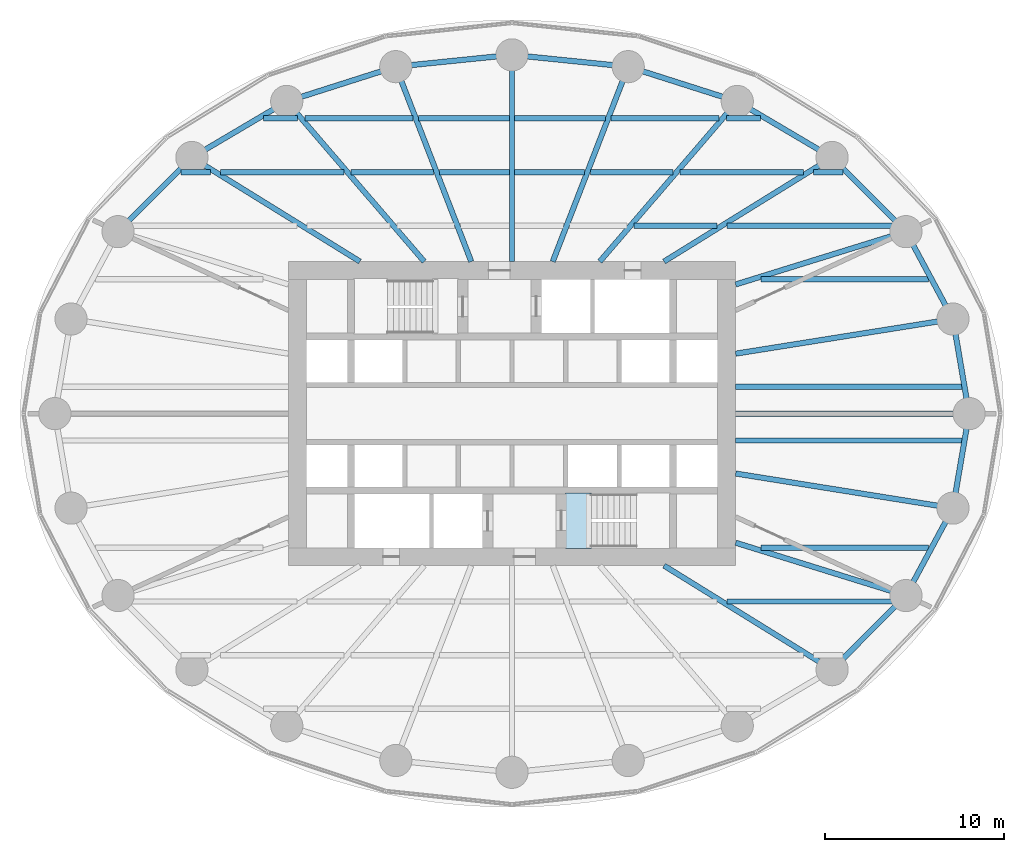
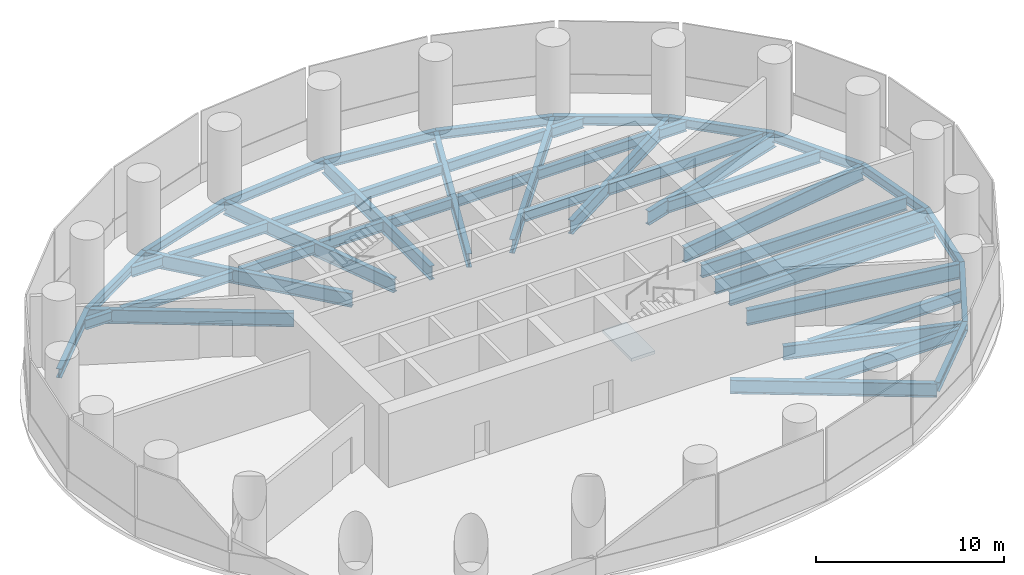
# One storey, part 2 of 5: 47 beams, 1 slab, 1 element without a shape of its own.
"""IFC4 building model written with IfcOpenShell, lengths in metres."""

from ifc_helpers import new_model, si_unit, direction, frame, origin, origin_2d, place, context, subcontext, project, spatial, polyline, i_section, outline, extrude, material, layer, layer_set, material_profile, profile_set, type_object, element, aggregate, save


model = new_model("IFC4")

# Units and contexts
model_context = context("Model", 3, precision=1e-05, world=origin(), true_north=direction((0.0, 1.0)))
body_context = subcontext(model_context, "Body", "Model", "MODEL_VIEW")
ifc_project = project(units=[si_unit("LENGTHUNIT", "METRE"), si_unit("AREAUNIT", "SQUARE_METRE"), si_unit("VOLUMEUNIT", "CUBIC_METRE"), si_unit("PLANEANGLEUNIT", "RADIAN"), si_unit("MASSUNIT", "GRAM", prefix="KILO")], contexts=[model_context])

# Site, building, storey
site_placement = place(None, origin())
site = spatial("IfcSite", under=ifc_project, at=site_placement, CompositionType="ELEMENT")
building_placement = place(site_placement, origin())
building = spatial("IfcBuilding", under=site, at=building_placement, Name="Hankou Lantern Tower", CompositionType="ELEMENT")
storey_placement = place(building_placement, frame((0.0, 0.0, 45.89990234375)))
storey = spatial("IfcBuildingStorey", under=building, at=storey_placement, Name="L10", CompositionType="ELEMENT", Elevation=45.89990234375)

# Beams
ifc_material_1 = material(Name="Steel Q355B", Category="steel")
ifc_material_profile_1 = material_profile(ifc_material_1, i_section(OverallWidth=0.302001953125, OverallDepth=0.593994140625, WebThickness=0.013916015625, FlangeThickness=0.02294921875, FilletRadius=0.02197265625, at=origin_2d()), Name="HM594x302x14x23")
ifc_profile_set_1 = profile_set([ifc_material_profile_1], Name="Steel Q355B")
beam_type_1 = type_object("IfcBeamType", Name="EB15 RING BEAM HM594x302x14x23", PredefinedType="SPANDREL", material=ifc_profile_set_1)
beam_1_placement = place(storey_placement, frame((25.550048828125, 0.0, -0.546875), z_axis=(-0.168489691988, 0.985703415685, 0.0), x_axis=(-0.985703415685, -0.168489691988, 0.0)))
element("IfcBeam", 1, at=beam_1_placement, inside=storey, type_object=beam_type_1, Name="Ring beam R01-R02 L10", PredefinedType="SPANDREL", context=body_context, shape_type="SweptSolid", body=[
    extrude(i_section(OverallWidth=0.302001953125, OverallDepth=0.593994140625, WebThickness=0.013916015625, FlangeThickness=0.02294921875, FilletRadius=0.02197265625, at=origin_2d()), origin(), (0.0, 0.0, 1.0), 5.35986328125),
])
beam_2_placement = place(storey_placement, frame((24.64697265625, 5.283203125, -0.546875), z_axis=(-0.473609096023, 0.880735161194, 0.0), x_axis=(-0.880735161194, -0.473609096023, 0.0)))
element("IfcBeam", 2, at=beam_2_placement, inside=storey, type_object=beam_type_1, Name="Ring beam R02-R03 L10", PredefinedType="SPANDREL", context=body_context, shape_type="SweptSolid", body=[
    extrude(i_section(OverallWidth=0.302001953125, OverallDepth=0.593994140625, WebThickness=0.013916015625, FlangeThickness=0.02294921875, FilletRadius=0.02197265625, at=origin_2d()), origin(), (0.0, 0.0, 1.0), 5.548828125),
])
beam_3_placement = place(storey_placement, frame((22.01904296875, 10.170166015625, -0.546875), z_axis=(-0.705727798394, 0.708483079949, 0.0), x_axis=(-0.708483079949, -0.705727798394, 0.0)))
element("IfcBeam", 3, at=beam_3_placement, inside=storey, type_object=beam_type_1, Name="Ring beam R03-R04 L10", PredefinedType="SPANDREL", context=body_context, shape_type="SweptSolid", body=[
    extrude(i_section(OverallWidth=0.302001953125, OverallDepth=0.593994140625, WebThickness=0.013916015625, FlangeThickness=0.02294921875, FilletRadius=0.02197265625, at=origin_2d()), origin(), (0.0, 0.0, 1.0), 5.84814453125),
])
beam_4_placement = place(storey_placement, frame((17.891845703125, 14.3134765625, -0.546875), z_axis=(-0.860881533543, 0.508805449268, 0.0), x_axis=(-0.508805449268, -0.860881533543, 0.0)))
element("IfcBeam", 4, at=beam_4_placement, inside=storey, type_object=beam_type_1, Name="Ring beam R04-R05 L10", PredefinedType="SPANDREL", context=body_context, shape_type="SweptSolid", body=[
    extrude(i_section(OverallWidth=0.302001953125, OverallDepth=0.593994140625, WebThickness=0.013916015625, FlangeThickness=0.02294921875, FilletRadius=0.02197265625, at=origin_2d()), origin(), (0.0, 0.0, 1.0), 6.15771484375),
])
beam_5_placement = place(storey_placement, frame((12.5908203125, 17.446533203125, -0.546875), z_axis=(-0.952690479428, 0.303942182671, 0.0), x_axis=(-0.303942182671, -0.952690479428, 0.0)))
element("IfcBeam", 5, at=beam_5_placement, inside=storey, type_object=beam_type_1, Name="Ring beam R05-R06 L10", PredefinedType="SPANDREL", context=body_context, shape_type="SweptSolid", body=[
    extrude(i_section(OverallWidth=0.302001953125, OverallDepth=0.593994140625, WebThickness=0.013916015625, FlangeThickness=0.02294921875, FilletRadius=0.02197265625, at=origin_2d()), origin(), (0.0, 0.0, 1.0), 6.398681640625),
])
for number, where, z_axis, x_axis, name in (
    (6, (6.494873046875, 19.391357421875, -0.546875), (-0.994896616842, 0.100899562915, 0.0), (-0.100899562915, -0.994896616842, 0.0), "Ring beam R06-R07 L10"),
    (7, (0.0, 20.050048828125, -0.546875), (-0.994896616842, -0.100899562915, 0.0), (0.100899562915, -0.994896616842, 0.0), "Ring beam R07-R08 L10"),
):
    element("IfcBeam", number, at=place(storey_placement, frame(where, z_axis=z_axis, x_axis=x_axis)), inside=storey, type_object=beam_type_1, Name=name, PredefinedType="SPANDREL", context=body_context, shape_type="SweptSolid", body=[
        extrude(i_section(OverallWidth=0.302001953125, OverallDepth=0.593994140625, WebThickness=0.013916015625, FlangeThickness=0.02294921875, FilletRadius=0.02197265625, at=origin_2d()), origin(), (0.0, 0.0, 1.0), 6.528076171875),
    ])
beam_6_placement = place(storey_placement, frame((-6.494873046875, 19.391357421875, -0.546875), z_axis=(-0.952690479428, -0.303942182671, 0.0), x_axis=(0.303942182671, -0.952690479428, 0.0)))
element("IfcBeam", 8, at=beam_6_placement, inside=storey, type_object=beam_type_1, Name="Ring beam R08-R09 L10", PredefinedType="SPANDREL", context=body_context, shape_type="SweptSolid", body=[
    extrude(i_section(OverallWidth=0.302001953125, OverallDepth=0.593994140625, WebThickness=0.013916015625, FlangeThickness=0.02294921875, FilletRadius=0.02197265625, at=origin_2d()), origin(), (0.0, 0.0, 1.0), 6.398681640625),
])
beam_7_placement = place(storey_placement, frame((-12.5908203125, 17.446533203125, -0.546875), z_axis=(-0.860881533543, -0.508805449268, 0.0), x_axis=(0.508805449268, -0.860881533543, 0.0)))
element("IfcBeam", 9, at=beam_7_placement, inside=storey, type_object=beam_type_1, Name="Ring beam R09-R10 L10", PredefinedType="SPANDREL", context=body_context, shape_type="SweptSolid", body=[
    extrude(i_section(OverallWidth=0.302001953125, OverallDepth=0.593994140625, WebThickness=0.013916015625, FlangeThickness=0.02294921875, FilletRadius=0.02197265625, at=origin_2d()), origin(), (0.0, 0.0, 1.0), 6.15771484375),
])
for number, where, z_axis, x_axis, name in (
    (10, (-17.891845703125, 14.3134765625, -0.546875), (-0.705727798394, -0.708483079949, 0.0), (0.708483079949, -0.705727798394, 0.0), "Ring beam R10-R11 L10"),
    (11, (17.891845703125, -14.3134765625, -0.546875), (0.705727798394, 0.708483079949, 0.0), (-0.708483079949, 0.705727798394, 0.0), "Ring beam R22-R23 L10"),
):
    element("IfcBeam", number, at=place(storey_placement, frame(where, z_axis=z_axis, x_axis=x_axis)), inside=storey, type_object=beam_type_1, Name=name, PredefinedType="SPANDREL", context=body_context, shape_type="SweptSolid", body=[
        extrude(i_section(OverallWidth=0.302001953125, OverallDepth=0.593994140625, WebThickness=0.013916015625, FlangeThickness=0.02294921875, FilletRadius=0.02197265625, at=origin_2d()), origin(), (0.0, 0.0, 1.0), 5.84814453125),
    ])
beam_8_placement = place(storey_placement, frame((22.01904296875, -10.170166015625, -0.546875), z_axis=(0.473609096023, 0.880735161194, 0.0), x_axis=(-0.880735161194, 0.473609096023, 0.0)))
element("IfcBeam", 12, at=beam_8_placement, inside=storey, type_object=beam_type_1, Name="Ring beam R23-R24 L10", PredefinedType="SPANDREL", context=body_context, shape_type="SweptSolid", body=[
    extrude(i_section(OverallWidth=0.302001953125, OverallDepth=0.593994140625, WebThickness=0.013916015625, FlangeThickness=0.02294921875, FilletRadius=0.02197265625, at=origin_2d()), origin(), (0.0, 0.0, 1.0), 5.548828125),
])
beam_9_placement = place(storey_placement, frame((24.64697265625, -5.283203125, -0.546875), z_axis=(0.168489691988, 0.985703415685, 0.0), x_axis=(-0.985703415685, 0.168489691988, 0.0)))
element("IfcBeam", 13, at=beam_9_placement, inside=storey, type_object=beam_type_1, Name="Ring beam R24-R01 L10", PredefinedType="SPANDREL", context=body_context, shape_type="SweptSolid", body=[
    extrude(i_section(OverallWidth=0.302001953125, OverallDepth=0.593994140625, WebThickness=0.013916015625, FlangeThickness=0.02294921875, FilletRadius=0.02197265625, at=origin_2d()), origin(), (0.0, 0.0, 1.0), 5.35986328125),
])
ifc_material_2 = material(Name="Steel Q355B", Category="steel")
ifc_material_profile_2 = material_profile(ifc_material_2, i_section(OverallWidth=0.300048828125, OverallDepth=0.89990234375, WebThickness=0.01611328125, FlangeThickness=0.028076171875, FilletRadius=0.01806640625, at=origin_2d()), Name="HN900x300x16x28")
ifc_profile_set_2 = profile_set([ifc_material_profile_2], Name="Steel Q355B")
beam_type_2 = type_object("IfcBeamType", Name="RB13 RADIAL BEAM HN900x300x16x28", PredefinedType="BEAM", material=ifc_profile_set_2)
beam_10_placement = place(storey_placement, frame((12.5, 7.216796875, -0.699951171875), z_axis=(0.955087327755, 0.29632447817, 0.0), x_axis=(-0.29632447817, 0.955087327755, 0.0)))
element("IfcBeam", 14, at=beam_10_placement, inside=storey, type_object=beam_type_2, Name="Radial beam R03 L10", PredefinedType="BEAM", context=body_context, shape_type="SweptSolid", body=[
    extrude(i_section(OverallWidth=0.300048828125, OverallDepth=0.89990234375, WebThickness=0.01611328125, FlangeThickness=0.028076171875, FilletRadius=0.01806640625, at=origin_2d()), origin(), (0.0, 0.0, 1.0), 9.966552734375),
])
beam_11_placement = place(storey_placement, frame((8.5, 8.5, -0.699951171875), z_axis=(0.850286343288, 0.526320372414, 0.0), x_axis=(-0.526320372414, 0.850286343288, 0.0)))
element("IfcBeam", 15, at=beam_11_placement, inside=storey, type_object=beam_type_2, Name="Radial beam R04 L10", PredefinedType="BEAM", context=body_context, shape_type="SweptSolid", body=[
    extrude(i_section(OverallWidth=0.300048828125, OverallDepth=0.89990234375, WebThickness=0.01611328125, FlangeThickness=0.028076171875, FilletRadius=0.01806640625, at=origin_2d()), origin(), (0.0, 0.0, 1.0), 11.04541015625),
])
beam_12_placement = place(storey_placement, frame((4.907470703125, 8.5, -0.699951171875), z_axis=(0.651519061225, 0.758632264579, 0.0), x_axis=(-0.758632264579, 0.651519061225, 0.0)))
element("IfcBeam", 16, at=beam_12_placement, inside=storey, type_object=beam_type_2, Name="Radial beam R05 L10", PredefinedType="BEAM", context=body_context, shape_type="SweptSolid", body=[
    extrude(i_section(OverallWidth=0.300048828125, OverallDepth=0.89990234375, WebThickness=0.01611328125, FlangeThickness=0.028076171875, FilletRadius=0.01806640625, at=origin_2d()), origin(), (0.0, 0.0, 1.0), 11.79296875),
])
beam_13_placement = place(storey_placement, frame((2.277587890625, 8.5, -0.699951171875), z_axis=(0.361089103374, 0.932531318201, 0.0), x_axis=(-0.932531318201, 0.361089103374, 0.0)))
element("IfcBeam", 17, at=beam_13_placement, inside=storey, type_object=beam_type_2, Name="Radial beam R06 L10", PredefinedType="BEAM", context=body_context, shape_type="SweptSolid", body=[
    extrude(i_section(OverallWidth=0.300048828125, OverallDepth=0.89990234375, WebThickness=0.01611328125, FlangeThickness=0.028076171875, FilletRadius=0.01806640625, at=origin_2d()), origin(), (0.0, 0.0, 1.0), 11.679443359375),
])
beam_14_placement = place(storey_placement, frame((0.0, 8.5, -0.699951171875), z_axis=(0.0, 1.0, 0.0), x_axis=(-1.0, 0.0, 0.0)))
element("IfcBeam", 18, at=beam_14_placement, inside=storey, type_object=beam_type_2, Name="Radial beam R07 L10", PredefinedType="BEAM", context=body_context, shape_type="SweptSolid", body=[
    extrude(i_section(OverallWidth=0.300048828125, OverallDepth=0.89990234375, WebThickness=0.01611328125, FlangeThickness=0.028076171875, FilletRadius=0.01806640625, at=origin_2d()), origin(), (0.0, 0.0, 1.0), 11.550048828125),
])
beam_15_placement = place(storey_placement, frame((-2.277587890625, 8.5, -0.699951171875), z_axis=(-0.361089103374, 0.932531318201, 0.0), x_axis=(-0.932531318201, -0.361089103374, 0.0)))
element("IfcBeam", 19, at=beam_15_placement, inside=storey, type_object=beam_type_2, Name="Radial beam R08 L10", PredefinedType="BEAM", context=body_context, shape_type="SweptSolid", body=[
    extrude(i_section(OverallWidth=0.300048828125, OverallDepth=0.89990234375, WebThickness=0.01611328125, FlangeThickness=0.028076171875, FilletRadius=0.01806640625, at=origin_2d()), origin(), (0.0, 0.0, 1.0), 11.679443359375),
])
beam_16_placement = place(storey_placement, frame((-4.907470703125, 8.5, -0.699951171875), z_axis=(-0.651519061225, 0.758632264579, 0.0), x_axis=(-0.758632264579, -0.651519061225, 0.0)))
element("IfcBeam", 20, at=beam_16_placement, inside=storey, type_object=beam_type_2, Name="Radial beam R09 L10", PredefinedType="BEAM", context=body_context, shape_type="SweptSolid", body=[
    extrude(i_section(OverallWidth=0.300048828125, OverallDepth=0.89990234375, WebThickness=0.01611328125, FlangeThickness=0.028076171875, FilletRadius=0.01806640625, at=origin_2d()), origin(), (0.0, 0.0, 1.0), 11.79296875),
])
for number, where, z_axis, x_axis, name in (
    (21, (-8.5, 8.5, -0.699951171875), (-0.850286343288, 0.526320372414, 0.0), (-0.526320372414, -0.850286343288, 0.0), "Radial beam R10 L10"),
    (22, (8.5, -8.5, -0.699951171875), (0.850286343288, -0.526320372414, 0.0), (0.526320372414, 0.850286343288, 0.0), "Radial beam R22 L10"),
):
    element("IfcBeam", number, at=place(storey_placement, frame(where, z_axis=z_axis, x_axis=x_axis)), inside=storey, type_object=beam_type_2, Name=name, PredefinedType="BEAM", context=body_context, shape_type="SweptSolid", body=[
        extrude(i_section(OverallWidth=0.300048828125, OverallDepth=0.89990234375, WebThickness=0.01611328125, FlangeThickness=0.028076171875, FilletRadius=0.01806640625, at=origin_2d()), origin(), (0.0, 0.0, 1.0), 11.04541015625),
    ])
beam_17_placement = place(storey_placement, frame((12.5, -7.216796875, -0.699951171875), z_axis=(0.955087327755, -0.29632447817, 0.0), x_axis=(0.29632447817, 0.955087327755, 0.0)))
element("IfcBeam", 23, at=beam_17_placement, inside=storey, type_object=beam_type_2, Name="Radial beam R23 L10", PredefinedType="BEAM", context=body_context, shape_type="SweptSolid", body=[
    extrude(i_section(OverallWidth=0.300048828125, OverallDepth=0.89990234375, WebThickness=0.01611328125, FlangeThickness=0.028076171875, FilletRadius=0.01806640625, at=origin_2d()), origin(), (0.0, 0.0, 1.0), 9.966552734375),
])
ifc_material_3 = material(Name="Steel Q355B", Category="steel")
ifc_material_profile_3 = material_profile(ifc_material_3, i_section(OverallWidth=0.300048828125, OverallDepth=1.0, WebThickness=0.01904296875, FlangeThickness=0.035888671875, FilletRadius=0.01806640625, at=origin_2d()), Name="HN1000x300x19x36")
ifc_profile_set_3 = profile_set([ifc_material_profile_3], Name="Steel Q355B")
beam_type_3 = type_object("IfcBeamType", Name="RB22 RADIAL BEAM HN1000x300x19x36", PredefinedType="BEAM", material=ifc_profile_set_3)
beam_18_placement = place(storey_placement, frame((12.5, 0.0, -0.75), z_axis=(1.0, 0.0, 0.0), x_axis=(0.0, 1.0, 0.0)))
element("IfcBeam", 24, at=beam_18_placement, inside=storey, type_object=beam_type_3, Name="Radial beam R01 L10", PredefinedType="BEAM", context=body_context, shape_type="SweptSolid", body=[
    extrude(i_section(OverallWidth=0.300048828125, OverallDepth=1.0, WebThickness=0.01904296875, FlangeThickness=0.035888671875, FilletRadius=0.01806640625, at=origin_2d()), origin(), (0.0, 0.0, 1.0), 13.050048828125),
])
for number, where, z_axis, x_axis, name in (
    (25, (12.5, 3.349365234375, -0.75), (0.987563081343, 0.157223281893, 0.0), (-0.157223281893, 0.987563081343, 0.0), "Radial beam R02 L10"),
    (26, (12.5, -3.349365234375, -0.75), (0.987563081343, -0.157223281893, 0.0), (0.157223281893, 0.987563081343, 0.0), "Radial beam R24 L10"),
):
    element("IfcBeam", number, at=place(storey_placement, frame(where, z_axis=z_axis, x_axis=x_axis)), inside=storey, type_object=beam_type_3, Name=name, PredefinedType="BEAM", context=body_context, shape_type="SweptSolid", body=[
        extrude(i_section(OverallWidth=0.300048828125, OverallDepth=1.0, WebThickness=0.01904296875, FlangeThickness=0.035888671875, FilletRadius=0.01806640625, at=origin_2d()), origin(), (0.0, 0.0, 1.0), 12.300048828125),
    ])
ifc_material_4 = material(Name="Steel Q355B", Category="steel")
ifc_material_profile_4 = material_profile(ifc_material_4, i_section(OverallWidth=0.300048828125, OverallDepth=0.75, WebThickness=0.012939453125, FlangeThickness=0.02392578125, FilletRadius=0.01806640625, at=origin_2d()), Name="HN750x300x13x24")
ifc_profile_set_4 = profile_set([ifc_material_profile_4], Name="Steel Q355B")
beam_type_4 = type_object("IfcBeamType", Name="SB10 SECONDARY BEAM HN750x300x13x24", PredefinedType="JOIST", material=ifc_profile_set_4)
beam_19_placement = place(storey_placement, frame((12.01611328125, -10.5, -0.625), z_axis=(1.0, 0.0, 0.0), x_axis=(0.0, 1.0, 0.0)))
element("IfcBeam", 27, at=beam_19_placement, inside=storey, type_object=beam_type_4, Name="Floor joist J022 L10", PredefinedType="JOIST", context=body_context, shape_type="SweptSolid", body=[
    extrude(i_section(OverallWidth=0.300048828125, OverallDepth=0.75, WebThickness=0.012939453125, FlangeThickness=0.02392578125, FilletRadius=0.01806640625, at=origin_2d()), origin(), (0.0, 0.0, 1.0), 9.461181640625),
])
for number, where, z_axis, x_axis, name in (
    (28, (13.918701171875, -7.5, -0.625), (1.0, 0.0, 0.0), (0.0, 1.0, 0.0), "Floor joist J024 L10"),
    (29, (13.918701171875, 7.5, -0.625), (1.0, 0.0, 0.0), (0.0, 1.0, 0.0), "Floor joist J038 L10"),
):
    element("IfcBeam", number, at=place(storey_placement, frame(where, z_axis=z_axis, x_axis=x_axis)), inside=storey, type_object=beam_type_4, Name=name, PredefinedType="JOIST", context=body_context, shape_type="SweptSolid", body=[
        extrude(i_section(OverallWidth=0.300048828125, OverallDepth=0.75, WebThickness=0.012939453125, FlangeThickness=0.02392578125, FilletRadius=0.01806640625, at=origin_2d()), origin(), (0.0, 0.0, 1.0), 9.36474609375),
    ])
beam_20_placement = place(storey_placement, frame((12.01611328125, 10.5, -0.625), z_axis=(1.0, 0.0, 0.0), x_axis=(0.0, 1.0, 0.0)))
element("IfcBeam", 30, at=beam_20_placement, inside=storey, type_object=beam_type_4, Name="Floor joist J046 L10", PredefinedType="JOIST", context=body_context, shape_type="SweptSolid", body=[
    extrude(i_section(OverallWidth=0.300048828125, OverallDepth=0.75, WebThickness=0.012939453125, FlangeThickness=0.02392578125, FilletRadius=0.01806640625, at=origin_2d()), origin(), (0.0, 0.0, 1.0), 9.461181640625),
])
ifc_material_5 = material(Name="Steel Q355B", Category="steel")
ifc_material_profile_5 = material_profile(ifc_material_5, i_section(OverallWidth=0.300048828125, OverallDepth=0.85009765625, WebThickness=0.01611328125, FlangeThickness=0.027099609375, FilletRadius=0.01806640625, at=origin_2d()), Name="HN850x300x16x27")
ifc_profile_set_5 = profile_set([ifc_material_profile_5], Name="Steel Q355B")
beam_type_5 = type_object("IfcBeamType", Name="SB12 SECONDARY BEAM HN850x300x16x27", PredefinedType="JOIST", material=ifc_profile_set_5)
for number, where, z_axis, x_axis, name in (
    (31, (12.5, -1.5, -0.6748046875), (1.0, 0.0, 0.0), (0.0, 1.0, 0.0), "Floor joist J030 L10"),
    (32, (12.5, 1.5, -0.6748046875), (1.0, 0.0, 0.0), (0.0, 1.0, 0.0), "Floor joist J032 L10"),
):
    element("IfcBeam", number, at=place(storey_placement, frame(where, z_axis=z_axis, x_axis=x_axis)), inside=storey, type_object=beam_type_5, Name=name, PredefinedType="JOIST", context=body_context, shape_type="SweptSolid", body=[
        extrude(i_section(OverallWidth=0.300048828125, OverallDepth=0.85009765625, WebThickness=0.01611328125, FlangeThickness=0.027099609375, FilletRadius=0.01806640625, at=origin_2d()), origin(), (0.0, 0.0, 1.0), 12.640380859375),
    ])
ifc_material_6 = material(Name="Steel Q355B", Category="steel")
ifc_material_profile_6 = material_profile(ifc_material_6, i_section(OverallWidth=0.300048828125, OverallDepth=0.64990234375, WebThickness=0.010986328125, FlangeThickness=0.01708984375, FilletRadius=0.01806640625, at=origin_2d()), Name="HN650x300x11x17")
ifc_profile_set_6 = profile_set([ifc_material_profile_6], Name="Steel Q355B")
beam_type_6 = type_object("IfcBeamType", Name="SB8 SECONDARY BEAM HN650x300x11x17", PredefinedType="JOIST", material=ifc_profile_set_6)
beam_21_placement = place(storey_placement, frame((6.82275390625, 10.5, -0.574951171875), z_axis=(1.0, 0.0, 0.0), x_axis=(0.0, 1.0, 0.0)))
element("IfcBeam", 33, at=beam_21_placement, inside=storey, type_object=beam_type_6, Name="Floor joist J045 L10", PredefinedType="JOIST", context=body_context, shape_type="SweptSolid", body=[
    extrude(i_section(OverallWidth=0.300048828125, OverallDepth=0.64990234375, WebThickness=0.010986328125, FlangeThickness=0.01708984375, FilletRadius=0.01806640625, at=origin_2d()), origin(), (0.0, 0.0, 1.0), 4.623291015625),
])
beam_22_placement = place(storey_placement, frame((-18.48876953125, 13.5, -0.574951171875), z_axis=(1.0, 0.0, 0.0), x_axis=(0.0, 1.0, 0.0)))
element("IfcBeam", 34, at=beam_22_placement, inside=storey, type_object=beam_type_6, Name="Floor joist J047 L10", PredefinedType="JOIST", context=body_context, shape_type="SweptSolid", body=[
    extrude(i_section(OverallWidth=0.300048828125, OverallDepth=0.64990234375, WebThickness=0.010986328125, FlangeThickness=0.01708984375, FilletRadius=0.01806640625, at=origin_2d()), origin(), (0.0, 0.0, 1.0), 1.6259765625),
])
beam_23_placement = place(storey_placement, frame((-16.292724609375, 13.5, -0.574951171875), z_axis=(1.0, 0.0, 0.0), x_axis=(0.0, 1.0, 0.0)))
element("IfcBeam", 35, at=beam_23_placement, inside=storey, type_object=beam_type_6, Name="Floor joist J048 L10", PredefinedType="JOIST", context=body_context, shape_type="SweptSolid", body=[
    extrude(i_section(OverallWidth=0.300048828125, OverallDepth=0.64990234375, WebThickness=0.010986328125, FlangeThickness=0.01708984375, FilletRadius=0.01806640625, at=origin_2d()), origin(), (0.0, 0.0, 1.0), 6.893310546875),
])
beam_24_placement = place(storey_placement, frame((-9.00390625, 13.5, -0.574951171875), z_axis=(1.0, 0.0, 0.0), x_axis=(0.0, 1.0, 0.0)))
element("IfcBeam", 36, at=beam_24_placement, inside=storey, type_object=beam_type_6, Name="Floor joist J049 L10", PredefinedType="JOIST", context=body_context, shape_type="SweptSolid", body=[
    extrude(i_section(OverallWidth=0.300048828125, OverallDepth=0.64990234375, WebThickness=0.010986328125, FlangeThickness=0.01708984375, FilletRadius=0.01806640625, at=origin_2d()), origin(), (0.0, 0.0, 1.0), 4.62939453125),
])
for number, where, z_axis, x_axis, name in (
    (37, (-4.052734375, 13.5, -0.574951171875), (1.0, 0.0, 0.0), (0.0, 1.0, 0.0), "Floor joist J050 L10"),
    (38, (0.14990234375, 13.5, -0.574951171875), (1.0, 0.0, 0.0), (0.0, 1.0, 0.0), "Floor joist J051 L10"),
):
    element("IfcBeam", number, at=place(storey_placement, frame(where, z_axis=z_axis, x_axis=x_axis)), inside=storey, type_object=beam_type_6, Name=name, PredefinedType="JOIST", context=body_context, shape_type="SweptSolid", body=[
        extrude(i_section(OverallWidth=0.300048828125, OverallDepth=0.64990234375, WebThickness=0.010986328125, FlangeThickness=0.01708984375, FilletRadius=0.01806640625, at=origin_2d()), origin(), (0.0, 0.0, 1.0), 3.90283203125),
    ])
beam_25_placement = place(storey_placement, frame((4.37451171875, 13.5, -0.574951171875), z_axis=(1.0, 0.0, 0.0), x_axis=(0.0, 1.0, 0.0)))
element("IfcBeam", 39, at=beam_25_placement, inside=storey, type_object=beam_type_6, Name="Floor joist J052 L10", PredefinedType="JOIST", context=body_context, shape_type="SweptSolid", body=[
    extrude(i_section(OverallWidth=0.300048828125, OverallDepth=0.64990234375, WebThickness=0.010986328125, FlangeThickness=0.01708984375, FilletRadius=0.01806640625, at=origin_2d()), origin(), (0.0, 0.0, 1.0), 4.62939453125),
])
beam_26_placement = place(storey_placement, frame((9.3994140625, 13.5, -0.574951171875), z_axis=(1.0, 0.0, 0.0), x_axis=(0.0, 1.0, 0.0)))
element("IfcBeam", 40, at=beam_26_placement, inside=storey, type_object=beam_type_6, Name="Floor joist J053 L10", PredefinedType="JOIST", context=body_context, shape_type="SweptSolid", body=[
    extrude(i_section(OverallWidth=0.300048828125, OverallDepth=0.64990234375, WebThickness=0.010986328125, FlangeThickness=0.01708984375, FilletRadius=0.01806640625, at=origin_2d()), origin(), (0.0, 0.0, 1.0), 6.893310546875),
])
beam_27_placement = place(storey_placement, frame((16.86279296875, 13.5, -0.574951171875), z_axis=(1.0, 0.0, 0.0), x_axis=(0.0, 1.0, 0.0)))
element("IfcBeam", 41, at=beam_27_placement, inside=storey, type_object=beam_type_6, Name="Floor joist J054 L10", PredefinedType="JOIST", context=body_context, shape_type="SweptSolid", body=[
    extrude(i_section(OverallWidth=0.300048828125, OverallDepth=0.64990234375, WebThickness=0.010986328125, FlangeThickness=0.01708984375, FilletRadius=0.01806640625, at=origin_2d()), origin(), (0.0, 0.0, 1.0), 1.6259765625),
])
beam_28_placement = place(storey_placement, frame((-13.8955078125, 16.5, -0.574951171875), z_axis=(1.0, 0.0, 0.0), x_axis=(0.0, 1.0, 0.0)))
element("IfcBeam", 42, at=beam_28_placement, inside=storey, type_object=beam_type_6, Name="Floor joist J055 L10", PredefinedType="JOIST", context=body_context, shape_type="SweptSolid", body=[
    extrude(i_section(OverallWidth=0.300048828125, OverallDepth=0.64990234375, WebThickness=0.010986328125, FlangeThickness=0.01708984375, FilletRadius=0.01806640625, at=origin_2d()), origin(), (0.0, 0.0, 1.0), 1.919677734375),
])
beam_29_placement = place(storey_placement, frame((-11.580322265625, 16.5, -0.574951171875), z_axis=(1.0, 0.0, 0.0), x_axis=(0.0, 1.0, 0.0)))
element("IfcBeam", 43, at=beam_29_placement, inside=storey, type_object=beam_type_6, Name="Floor joist J056 L10", PredefinedType="JOIST", context=body_context, shape_type="SweptSolid", body=[
    extrude(i_section(OverallWidth=0.300048828125, OverallDepth=0.64990234375, WebThickness=0.010986328125, FlangeThickness=0.01708984375, FilletRadius=0.01806640625, at=origin_2d()), origin(), (0.0, 0.0, 1.0), 6.044189453125),
])
for number, where, z_axis, x_axis, name in (
    (44, (-5.21435546875, 16.5, -0.574951171875), (1.0, 0.0, 0.0), (0.0, 1.0, 0.0), "Floor joist J057 L10"),
    (45, (0.14990234375, 16.5, -0.574951171875), (1.0, 0.0, 0.0), (0.0, 1.0, 0.0), "Floor joist J058 L10"),
):
    element("IfcBeam", number, at=place(storey_placement, frame(where, z_axis=z_axis, x_axis=x_axis)), inside=storey, type_object=beam_type_6, Name=name, PredefinedType="JOIST", context=body_context, shape_type="SweptSolid", body=[
        extrude(i_section(OverallWidth=0.300048828125, OverallDepth=0.64990234375, WebThickness=0.010986328125, FlangeThickness=0.01708984375, FilletRadius=0.01806640625, at=origin_2d()), origin(), (0.0, 0.0, 1.0), 5.064453125),
    ])
beam_30_placement = place(storey_placement, frame((5.5361328125, 16.5, -0.574951171875), z_axis=(1.0, 0.0, 0.0), x_axis=(0.0, 1.0, 0.0)))
element("IfcBeam", 46, at=beam_30_placement, inside=storey, type_object=beam_type_6, Name="Floor joist J059 L10", PredefinedType="JOIST", context=body_context, shape_type="SweptSolid", body=[
    extrude(i_section(OverallWidth=0.300048828125, OverallDepth=0.64990234375, WebThickness=0.010986328125, FlangeThickness=0.01708984375, FilletRadius=0.01806640625, at=origin_2d()), origin(), (0.0, 0.0, 1.0), 6.044189453125),
])
beam_31_placement = place(storey_placement, frame((11.975830078125, 16.5, -0.574951171875), z_axis=(1.0, 0.0, 0.0), x_axis=(0.0, 1.0, 0.0)))
element("IfcBeam", 47, at=beam_31_placement, inside=storey, type_object=beam_type_6, Name="Floor joist J060 L10", PredefinedType="JOIST", context=body_context, shape_type="SweptSolid", body=[
    extrude(i_section(OverallWidth=0.300048828125, OverallDepth=0.64990234375, WebThickness=0.010986328125, FlangeThickness=0.01708984375, FilletRadius=0.01806640625, at=origin_2d()), origin(), (0.0, 0.0, 1.0), 1.919677734375),
])

# Stair, slab
ifc_material_7 = material(Name="Concrete C40", Category="concrete")
stair_type = type_object("IfcStairType", Name="ST48 CORE STAIR 4800 RISE", PredefinedType="HALF_TURN_STAIR", material=ifc_material_7)
stair_placement = place(storey_placement, origin())
stair = element("IfcStair", 48, at=stair_placement, inside=storey, type_object=stair_type, Name="Stair STB L10", PredefinedType="HALF_TURN_STAIR")
ifc_material_8 = material(Name="Concrete C40", Category="concrete")
ifc_layer = layer(ifc_material_8, 0.199951171875)
ifc_layer_set = layer_set([ifc_layer], Name="Concrete C40")
slab_type = type_object("IfcSlabType", Name="SL1 STAIR LANDING 200", PredefinedType="LANDING", material=ifc_layer_set)
slab_placement = place(storey_placement, frame((0.0, 0.0, 2.2001953125)))
slab = element("IfcSlab", 49, at=slab_placement, type_object=slab_type, Name="STB landing 2", PredefinedType="LANDING", context=body_context, shape_type="SweptSolid", body=[
    extrude(outline(polyline([(4.449951171875, -4.449951171875), (3.0, -4.449951171875), (3.0, -7.550048828125), (4.449951171875, -7.550048828125), (4.449951171875, -4.449951171875)])), origin(), (0.0, 0.0, 1.0), 0.199951171875),
])
aggregate(stair, [slab])

save(model, "model.ifc")
